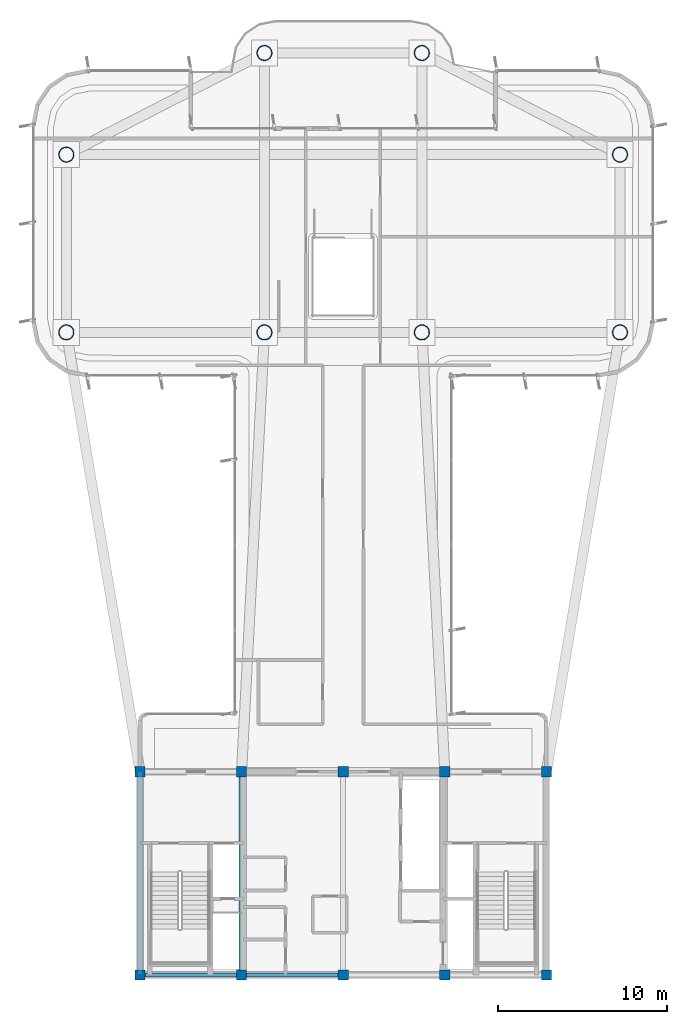
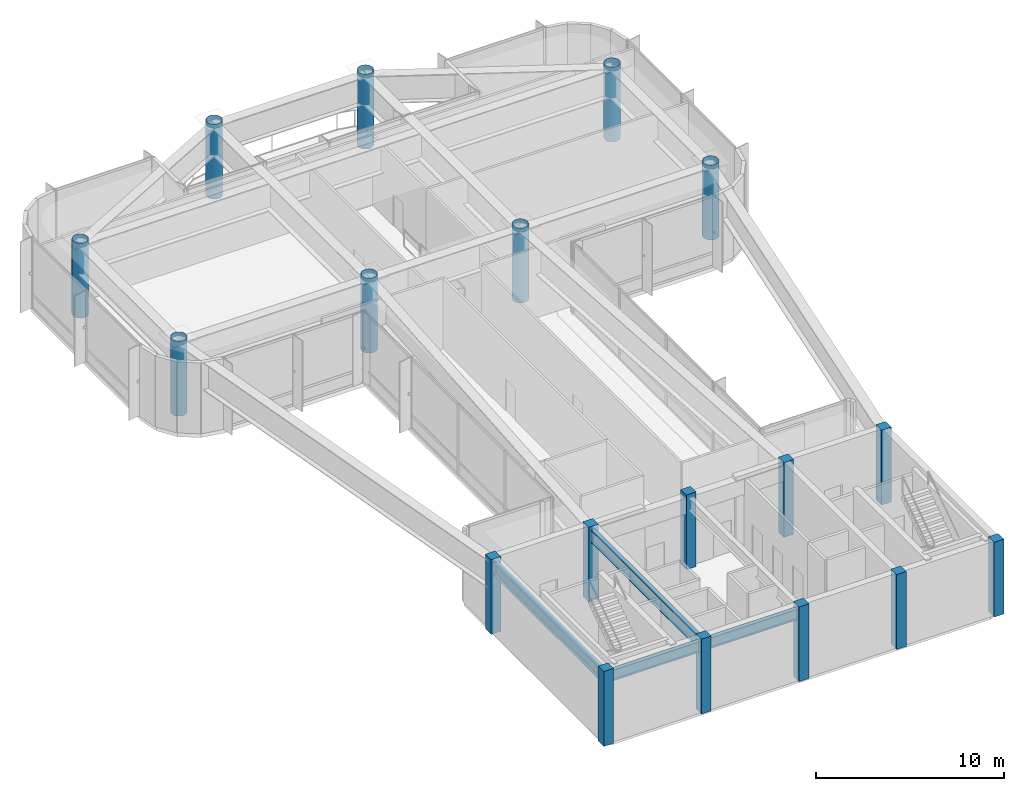
# One storey, part 1 of 13: 18 columns, 4 beams.
"""IFC4 building model written with IfcOpenShell, lengths in metres."""

import ifcopenshell
import ifcopenshell.guid

model = None  # the IFC model being written
_history = None  # IfcOwnerHistory: only IFC2X3 demands one
_inside = {}  # id of a spatial element -> (the spatial element, [elements in it])
_under = {}  # id of a project, library or spatial element -> (it, [spatial elements below it])
_declared = {}  # id of a project -> (the project, [libraries it declares])
_typed = {}  # id of a type object -> (the type object, [elements of that type])
_made_of = {}  # id of a material, layer set ... -> (it, [elements and type objects made of it])


def new_model(schema):
    """Start an empty IFC model of exactly this schema.

    Asked for "IFC4X3", IfcOpenShell would pick the latest addendum, in which some entities
    have other attributes; the version numbers below select the first issue.
    IFC2X3 requires an IfcOwnerHistory on every rooted entity: one is made here for all.
    """
    global model, _history
    if schema == "IFC4X3":
        model = ifcopenshell.file(schema_version=(4, 3, 0, 0))
    else:
        model = ifcopenshell.file(schema=schema)
    _inside.clear()
    _under.clear()
    _declared.clear()
    _typed.clear()
    _made_of.clear()
    _history = None
    if model.schema == "IFC2X3":
        org = make("IfcOrganization", Name="unknown")
        user = make(
            "IfcPersonAndOrganization",
            ThePerson=make("IfcPerson", FamilyName="unknown"),
            TheOrganization=org,
        )
        app = make(
            "IfcApplication",
            ApplicationDeveloper=org,
            Version="unknown",
            ApplicationFullName="unknown",
            ApplicationIdentifier="unknown",
        )
        _history = make(
            "IfcOwnerHistory",
            OwningUser=user,
            OwningApplication=app,
            ChangeAction="ADDED",
            CreationDate=0,
        )
    return model


def make(cls, **values):
    """One entity of the class cls with the attributes given. An attribute that is None is left unset."""
    return model.create_entity(
        cls, **{name: value for name, value in values.items() if value is not None}
    )


def rooted(cls, **values):
    """An entity with a GlobalId (a new one), such as an element, a storey or a relation."""
    return make(cls, GlobalId=ifcopenshell.guid.new(), OwnerHistory=_history, **values)


def si_unit(unit_type, name, prefix=None):
    """IfcSIUnit, for example si_unit("LENGTHUNIT", "METRE", prefix="MILLI")."""
    return make("IfcSIUnit", UnitType=unit_type, Prefix=prefix, Name=name)


def assignment(units):
    """IfcUnitAssignment: the units of a project."""
    return None if units is None else make("IfcUnitAssignment", Units=units)


def point(xyz):
    """IfcCartesianPoint."""
    return None if xyz is None else make("IfcCartesianPoint", Coordinates=xyz)


def direction(xyz):
    """IfcDirection."""
    return None if xyz is None else make("IfcDirection", DirectionRatios=xyz)


def frame(location, z_axis=None, x_axis=None):
    """IfcAxis2Placement3D, a coordinate frame: its origin and axes. An axis left out is left unset."""
    return make(
        "IfcAxis2Placement3D",
        Location=point(location),
        Axis=direction(z_axis),
        RefDirection=direction(x_axis),
    )


def frame_2d(location, x_axis=None):
    """IfcAxis2Placement2D, a coordinate frame in the plane: its origin and x axis."""
    return make(
        "IfcAxis2Placement2D", Location=point(location), RefDirection=direction(x_axis)
    )


def origin():
    """The frame at (0, 0, 0) with its axes left unset."""
    return frame((0.0, 0.0, 0.0))


def origin_2d():
    """The frame at (0, 0) in the plane with its x axis left unset."""
    return frame_2d((0.0, 0.0))


def place(relative_to, where):
    """IfcLocalPlacement: puts the frame where relative to a parent placement (None: the world)."""
    return make(
        "IfcLocalPlacement", PlacementRelTo=relative_to, RelativePlacement=where
    )


def context(
    kind, dimensions, precision=None, world=None, true_north=None, identifier=None
):
    """IfcGeometricRepresentationContext, for example the 3D "Model" context."""
    return make(
        "IfcGeometricRepresentationContext",
        ContextIdentifier=identifier,
        ContextType=kind,
        CoordinateSpaceDimension=dimensions,
        Precision=precision,
        WorldCoordinateSystem=world,
        TrueNorth=true_north,
    )


def subcontext(parent, identifier, kind, view, scale=None):
    """IfcGeometricRepresentationSubContext, for example "Body" below "Model"."""
    return make(
        "IfcGeometricRepresentationSubContext",
        ContextIdentifier=identifier,
        ContextType=kind,
        ParentContext=parent,
        TargetScale=scale,
        TargetView=view,
    )


def project(units=None, contexts=None):
    """IfcProject with its units and contexts."""
    return rooted(
        "IfcProject",
        Name="project",
        RepresentationContexts=contexts,
        UnitsInContext=assignment(units),
    )


def spatial(cls, under=None, at=None, **own):
    """A site, building, storey or space (cls), placed at a placement, below another one or the project."""
    s = rooted(cls, ObjectPlacement=at, **own)
    if under is not None:
        _under.setdefault(under.id(), (under, []))[1].append(s)
    return s


def profile(cls, at=None, kind="AREA", **sizes):
    """A parametric profile (cls). Its sizes go by their IFC names, for example OverallWidth=200.0."""
    return make(cls, ProfileType=kind, Position=at, **sizes)


def rectangle(**sizes):
    """IfcRectangleProfileDef."""
    return profile("IfcRectangleProfileDef", **sizes)


def hollow_circle(**sizes):
    """IfcCircleHollowProfileDef."""
    return profile("IfcCircleHollowProfileDef", **sizes)


def i_section(**sizes):
    """IfcIShapeProfileDef."""
    return profile("IfcIShapeProfileDef", **sizes)


def extrude(swept, where, along, depth):
    """IfcExtrudedAreaSolid: the profile swept, set in the frame where, extruded along a direction by depth."""
    return make(
        "IfcExtrudedAreaSolid",
        SweptArea=swept,
        Position=where,
        ExtrudedDirection=direction(along),
        Depth=depth,
    )


def shape(context_of_items, identifier, shape_type, items):
    """IfcShapeRepresentation: the items that make up one representation, for example the "Body"."""
    return make(
        "IfcShapeRepresentation",
        ContextOfItems=context_of_items,
        RepresentationIdentifier=identifier,
        RepresentationType=shape_type,
        Items=items,
    )


def source(mapping_origin, context_of_items, identifier, shape_type, items):
    """IfcRepresentationMap: a shape defined once, which mapped items show again and again."""
    return make(
        "IfcRepresentationMap",
        MappingOrigin=mapping_origin,
        MappedRepresentation=shape(context_of_items, identifier, shape_type, items),
    )


def transform(
    local_origin,
    x_axis=None,
    y_axis=None,
    z_axis=None,
    scale=None,
    scale2=None,
    scale3=None,
    uniform=True,
):
    """IfcCartesianTransformationOperator3D, or its non-uniform kind. x_axis, y_axis, z_axis: its Axis1, 2, 3."""
    if uniform:
        return make(
            "IfcCartesianTransformationOperator3D",
            Axis1=direction(x_axis),
            Axis2=direction(y_axis),
            LocalOrigin=point(local_origin),
            Scale=scale,
            Axis3=direction(z_axis),
        )
    return make(
        "IfcCartesianTransformationOperator3DnonUniform",
        Axis1=direction(x_axis),
        Axis2=direction(y_axis),
        LocalOrigin=point(local_origin),
        Scale=scale,
        Axis3=direction(z_axis),
        Scale2=scale2,
        Scale3=scale3,
    )


def mapped(mapping_source, mapping_target):
    """IfcMappedItem: shows the shape of a source again, moved by a transform."""
    return make(
        "IfcMappedItem", MappingSource=mapping_source, MappingTarget=mapping_target
    )


def material(Name=None, Category=None):
    """IfcMaterial."""
    return make("IfcMaterial", Name=Name, Category=Category)


def material_profile(
    of_material, cross_section, Name=None, Category=None, Priority=None
):
    """IfcMaterialProfile: a cross section and its material."""
    return make(
        "IfcMaterialProfile",
        Name=Name,
        Material=of_material,
        Profile=cross_section,
        Priority=Priority,
        Category=Category,
    )


def profile_set(profiles, Name=None, composite=None):
    """IfcMaterialProfileSet."""
    return make(
        "IfcMaterialProfileSet",
        Name=Name,
        MaterialProfiles=profiles,
        CompositeProfile=composite,
    )


def made_of(thing, what):
    """Note that an element or type object is made of a material, layer set ...; save() writes the relation."""
    if what is not None:
        _made_of.setdefault(what.id(), (what, []))[1].append(thing)
    return thing


def type_object(cls, material=None, **own):
    """A type object (cls), such as IfcWallType, which elements share."""
    return made_of(rooted(cls, **own), material)


def element(
    cls,
    number,
    at=None,
    inside=None,
    cuts=None,
    type_object=None,
    material=None,
    context=None,
    identifier="Body",
    shape_type=None,
    held_by="IfcProductDefinitionShape",
    body=None,
    shapes=None,
    **own,
):
    """One element of the class cls, such as IfcWall. Its Tag is "e" and its number.

    at: its placement. inside: the storey or other place that contains it. cuts: it is an
    opening in that element (IfcRelVoidsElement). A single representation is given by context,
    identifier, shape_type and body (its items); several are given by shapes. held_by: the class
    of the entity that holds the representations. save() writes the other relations.
    """
    e = rooted(cls, Tag="e%d" % number, ObjectPlacement=at, **own)
    if body is not None:
        shapes = [shape(context, identifier, shape_type, body)]
    if shapes is not None:
        e.Representation = make(held_by, Representations=shapes)
    if inside is not None:
        _inside.setdefault(inside.id(), (inside, []))[1].append(e)
    if cuts is not None:
        rooted(
            "IfcRelVoidsElement", RelatingBuildingElement=cuts, RelatedOpeningElement=e
        )
    if type_object is not None:
        _typed.setdefault(type_object.id(), (type_object, []))[1].append(e)
    return made_of(e, material)


def aggregate(whole, parts):
    """IfcRelAggregates: a whole, such as a stair, and the parts it consists of."""
    return rooted("IfcRelAggregates", RelatingObject=whole, RelatedObjects=parts)


def save(model, path):
    """Write the relations noted so far, then the file.

    IfcRelAggregates (storeys below a building ...), IfcRelContainedInSpatialStructure (elements
    in a storey), IfcRelDefinesByType, IfcRelAssociatesMaterial and IfcRelDeclares: one each for
    every whole, place, type object, material and project.
    """
    for whole, parts in _under.values():
        aggregate(whole, parts)
    for where, things in _inside.values():
        rooted(
            "IfcRelContainedInSpatialStructure",
            RelatedElements=things,
            RelatingStructure=where,
        )
    for kind, things in _typed.values():
        rooted("IfcRelDefinesByType", RelatedObjects=things, RelatingType=kind)
    for what, things in _made_of.values():
        rooted("IfcRelAssociatesMaterial", RelatedObjects=things, RelatingMaterial=what)
    for by, libraries in _declared.values():
        rooted("IfcRelDeclares", RelatingContext=by, RelatedDefinitions=libraries)
    model.write(path)


model = new_model("IFC4")

# Units and contexts
model_context = context("Model", 3, precision=1e-05, world=origin(), true_north=direction((0.0, 1.0)))
body_context = subcontext(model_context, "Body", "Model", "MODEL_VIEW")
ifc_project = project(units=[si_unit("LENGTHUNIT", "METRE"), si_unit("AREAUNIT", "SQUARE_METRE"), si_unit("VOLUMEUNIT", "CUBIC_METRE"), si_unit("PLANEANGLEUNIT", "RADIAN"), si_unit("MASSUNIT", "GRAM", prefix="KILO")], contexts=[model_context])

# Site, building, storey
site_placement = place(None, origin())
site = spatial("IfcSite", under=ifc_project, at=site_placement, CompositionType="ELEMENT")
building_placement = place(site_placement, origin())
building = spatial("IfcBuilding", under=site, at=building_placement, Name="Brelvock Crest Care Tower", CompositionType="ELEMENT")
storey_placement = place(building_placement, frame((0.0, 0.0, 291.06005859375)))
storey = spatial("IfcBuildingStorey", under=building, at=storey_placement, Name="L74", CompositionType="ELEMENT", Elevation=291.06005859375)

# Columns
ifc_material_1 = material(Name="Concrete S65 (65 MPa)", Category="concrete")
ifc_material_profile_1 = material_profile(ifc_material_1, rectangle(XDim=0.60009765625, YDim=0.60009765625, at=origin_2d()), Name="RC600x600")
ifc_profile_set_1 = profile_set([ifc_material_profile_1], Name="Concrete S65 (65 MPa)")
column_type_1 = type_object("IfcColumnType", Name="COL-RC4", PredefinedType="COLUMN", material=ifc_profile_set_1)
shared_shape_1 = source(origin(), body_context, "Body", "SweptSolid", [
    extrude(rectangle(XDim=0.60009765625, YDim=0.60009765625, at=origin_2d()), origin(), (0.0, 0.0, 1.0), 4.85986328125),
])
for number, where, z_axis, x_axis, name in (
    (1, (24.0, 6.0, 0.0), (0.0, 0.0, 1.0), (1.0, 0.0, 0.0), "L74 Core Column CC-01"),
    (2, (30.0, 6.0, 0.0), (0.0, 0.0, 1.0), (1.0, 0.0, 0.0), "L74 Core Column CC-02"),
    (3, (36.0, 6.0, 0.0), (0.0, 0.0, 1.0), (1.0, 0.0, 0.0), "L74 Core Column CC-03"),
    (4, (42.0, 6.0, 0.0), (0.0, 0.0, 1.0), (1.0, 0.0, 0.0), "L74 Core Column CC-04"),
    (5, (48.0, 6.0, 0.0), (0.0, 0.0, 1.0), (1.0, 0.0, 0.0), "L74 Core Column CC-05"),
    (6, (24.0, 18.0, 0.0), (0.0, 0.0, 1.0), (1.0, 0.0, 0.0), "L74 Core Column CC-06"),
    (7, (30.0, 18.0, 0.0), (0.0, 0.0, 1.0), (1.0, 0.0, 0.0), "L74 Core Column CC-07"),
    (8, (36.0, 18.0, 0.0), (0.0, 0.0, 1.0), (1.0, 0.0, 0.0), "L74 Core Column CC-08"),
    (9, (42.0, 18.0, 0.0), (0.0, 0.0, 1.0), (1.0, 0.0, 0.0), "L74 Core Column CC-09"),
    (10, (48.0, 18.0, 0.0), (0.0, 0.0, 1.0), (1.0, 0.0, 0.0), "L74 Core Column CC-10"),
):
    element("IfcColumn", number, at=place(storey_placement, frame(where, z_axis=z_axis, x_axis=x_axis)), inside=storey, type_object=column_type_1, Name=name, PredefinedType="COLUMN", context=body_context, shape_type="MappedRepresentation", body=[
        mapped(shared_shape_1, transform((0.0, 0.0, 0.0), x_axis=(1.0, 0.0, 0.0), y_axis=(0.0, 1.0, 0.0), z_axis=(0.0, 0.0, 1.0), scale=1.0)),
    ])
ifc_material_2 = material(Name="Steel Grade 350", Category="steel")
ifc_material_profile_2 = material_profile(ifc_material_2, hollow_circle(Radius=0.449951171875, WallThickness=0.031982421875, at=origin_2d()), Name="CFT900x32")
ifc_profile_set_2 = profile_set([ifc_material_profile_2], Name="Steel Grade 350")
column_type_2 = type_object("IfcColumnType", Name="COL-MC4", PredefinedType="COLUMN", material=ifc_profile_set_2)
shared_shape_2 = source(origin(), body_context, "Body", "SweptSolid", [
    extrude(hollow_circle(Radius=0.449951171875, WallThickness=0.031982421875, at=origin_2d()), origin(), (0.0, 0.0, 1.0), 4.85986328125),
])
for number, where, z_axis, x_axis, name in (
    (11, (19.64990234375, 43.949951171875, 0.0), (0.0, 0.0, 1.0), (1.0, 0.0, 0.0), "L74 Tower Column M1"),
    (12, (19.64990234375, 54.449951171875, 0.0), (0.0, 0.0, 1.0), (1.0, 0.0, 0.0), "L74 Tower Column M2"),
    (13, (52.35009765625, 43.949951171875, 0.0), (0.0, 0.0, 1.0), (1.0, 0.0, 0.0), "L74 Tower Column M3"),
    (14, (52.35009765625, 54.449951171875, 0.0), (0.0, 0.0, 1.0), (1.0, 0.0, 0.0), "L74 Tower Column M4"),
    (15, (31.35009765625, 43.949951171875, 0.0), (0.0, 0.0, 1.0), (1.0, 0.0, 0.0), "L74 Tower Column M5"),
    (16, (40.64990234375, 43.949951171875, 0.0), (0.0, 0.0, 1.0), (1.0, 0.0, 0.0), "L74 Tower Column M6"),
    (17, (31.35009765625, 60.449951171875, 0.0), (0.0, 0.0, 1.0), (1.0, 0.0, 0.0), "L74 Tower Column M7"),
    (18, (40.64990234375, 60.449951171875, 0.0), (0.0, 0.0, 1.0), (1.0, 0.0, 0.0), "L74 Tower Column M8"),
):
    element("IfcColumn", number, at=place(storey_placement, frame(where, z_axis=z_axis, x_axis=x_axis)), inside=storey, type_object=column_type_2, Name=name, PredefinedType="COLUMN", context=body_context, shape_type="MappedRepresentation", body=[
        mapped(shared_shape_2, transform((0.0, 0.0, 0.0), x_axis=(1.0, 0.0, 0.0), y_axis=(0.0, 1.0, 0.0), z_axis=(0.0, 0.0, 1.0), scale=1.0)),
    ])

# Beams
ifc_material_profile_3 = material_profile(ifc_material_2, i_section(OverallWidth=0.25, OverallDepth=0.699951171875, WebThickness=0.011962890625, FlangeThickness=0.02001953125, at=origin_2d()), Name="700WB150")
ifc_profile_set_3 = profile_set([ifc_material_profile_3], Name="Steel Grade 350")
beam_type_1 = type_object("IfcBeamType", Name="BM-G4", PredefinedType="BEAM", material=ifc_profile_set_3)
shared_shape_3 = source(origin(), body_context, "Body", "SweptSolid", [
    extrude(i_section(OverallWidth=0.25, OverallDepth=0.699951171875, WebThickness=0.011962890625, FlangeThickness=0.02001953125, at=origin_2d()), origin(), (0.0, 0.0, 1.0), 6.0),
])
for number, where, z_axis, x_axis, name in (
    (19, (24.0, 6.0, 4.260009765625), (1.0, 0.0, 0.0), (0.0, 1.0, 0.0), "BM-CORES-L74-1"),
    (20, (30.0, 6.0, 4.260009765625), (1.0, 0.0, 0.0), (0.0, 1.0, 0.0), "BM-CORES-L74-2"),
):
    element("IfcBeam", number, at=place(storey_placement, frame(where, z_axis=z_axis, x_axis=x_axis)), inside=storey, type_object=beam_type_1, Name=name, PredefinedType="BEAM", context=body_context, shape_type="MappedRepresentation", body=[
        mapped(shared_shape_3, transform((0.0, 0.0, 0.0), x_axis=(1.0, 0.0, 0.0), y_axis=(0.0, 1.0, 0.0), z_axis=(0.0, 0.0, 1.0), scale=1.0)),
    ])
ifc_material_profile_4 = material_profile(ifc_material_2, i_section(OverallWidth=0.300048828125, OverallDepth=0.800048828125, WebThickness=0.013916015625, FlangeThickness=0.02197265625, at=origin_2d()), Name="800WB192")
ifc_profile_set_4 = profile_set([ifc_material_profile_4], Name="Steel Grade 350")
beam_type_2 = type_object("IfcBeamType", Name="BM-G5", PredefinedType="BEAM", material=ifc_profile_set_4)
shared_shape_4 = source(origin(), body_context, "Body", "SweptSolid", [
    extrude(i_section(OverallWidth=0.300048828125, OverallDepth=0.800048828125, WebThickness=0.013916015625, FlangeThickness=0.02197265625, at=origin_2d()), origin(), (0.0, 0.0, 1.0), 12.0),
])
for number, where, z_axis, x_axis, name in (
    (21, (24.0, 6.0, 4.2099609375), (0.0, 1.0, 0.0), (-1.0, 0.0, 0.0), "BM-COREX-L74-1"),
    (22, (30.0, 6.0, 4.2099609375), (0.0, 1.0, 0.0), (-1.0, 0.0, 0.0), "BM-COREX-L74-2"),
):
    element("IfcBeam", number, at=place(storey_placement, frame(where, z_axis=z_axis, x_axis=x_axis)), inside=storey, type_object=beam_type_2, Name=name, PredefinedType="BEAM", context=body_context, shape_type="MappedRepresentation", body=[
        mapped(shared_shape_4, transform((0.0, 0.0, 0.0), x_axis=(1.0, 0.0, 0.0), y_axis=(0.0, 1.0, 0.0), z_axis=(0.0, 0.0, 1.0), scale=1.0)),
    ])

save(model, "model.ifc")
